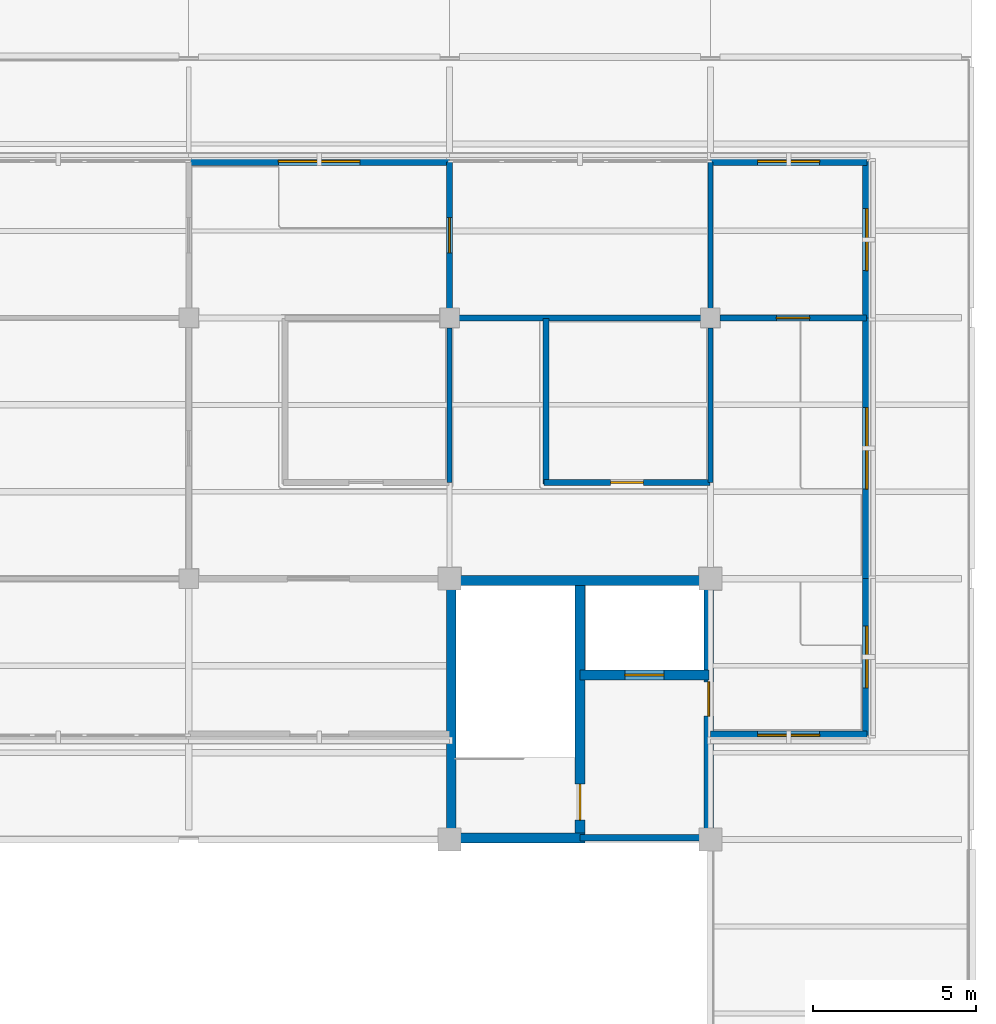
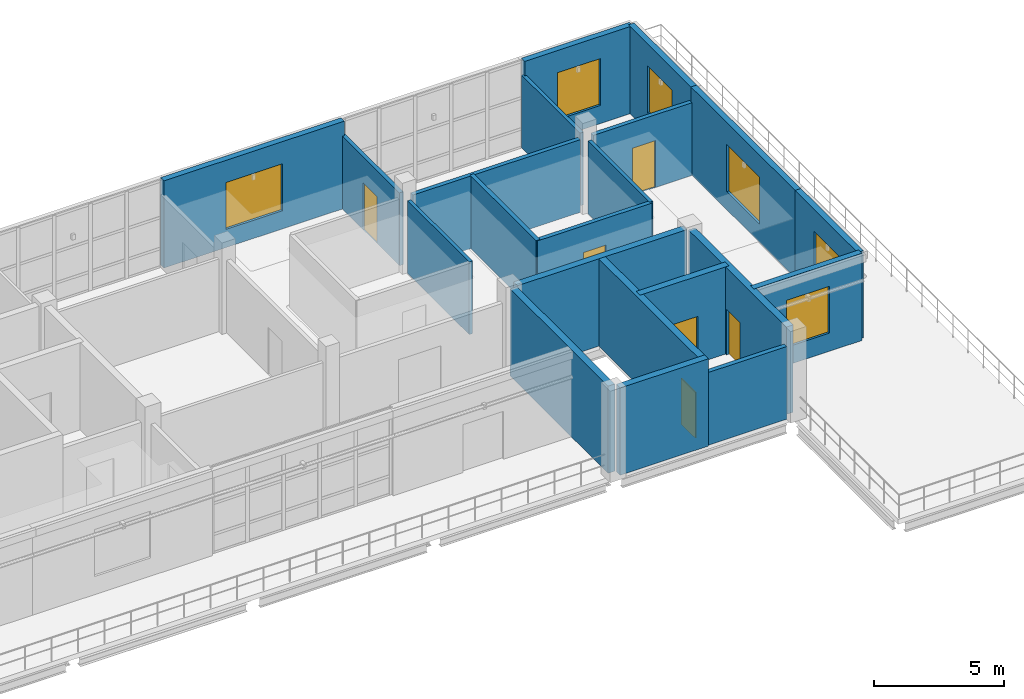
# One storey, part 18 of 24: 21 walls, 6 doors, 6 windows, 12 openings.
"""IFC4 building model written with IfcOpenShell, lengths in metres."""

import ifcopenshell
import ifcopenshell.guid

model = None  # the IFC model being written
_history = None  # IfcOwnerHistory: only IFC2X3 demands one
_inside = {}  # id of a spatial element -> (the spatial element, [elements in it])
_under = {}  # id of a project, library or spatial element -> (it, [spatial elements below it])
_declared = {}  # id of a project -> (the project, [libraries it declares])
_typed = {}  # id of a type object -> (the type object, [elements of that type])
_made_of = {}  # id of a material, layer set ... -> (it, [elements and type objects made of it])


def new_model(schema):
    """Start an empty IFC model of exactly this schema.

    Asked for "IFC4X3", IfcOpenShell would pick the latest addendum, in which some entities
    have other attributes; the version numbers below select the first issue.
    IFC2X3 requires an IfcOwnerHistory on every rooted entity: one is made here for all.
    """
    global model, _history
    if schema == "IFC4X3":
        model = ifcopenshell.file(schema_version=(4, 3, 0, 0))
    else:
        model = ifcopenshell.file(schema=schema)
    _inside.clear()
    _under.clear()
    _declared.clear()
    _typed.clear()
    _made_of.clear()
    _history = None
    if model.schema == "IFC2X3":
        org = make("IfcOrganization", Name="unknown")
        user = make(
            "IfcPersonAndOrganization",
            ThePerson=make("IfcPerson", FamilyName="unknown"),
            TheOrganization=org,
        )
        app = make(
            "IfcApplication",
            ApplicationDeveloper=org,
            Version="unknown",
            ApplicationFullName="unknown",
            ApplicationIdentifier="unknown",
        )
        _history = make(
            "IfcOwnerHistory",
            OwningUser=user,
            OwningApplication=app,
            ChangeAction="ADDED",
            CreationDate=0,
        )
    return model


def make(cls, **values):
    """One entity of the class cls with the attributes given. An attribute that is None is left unset."""
    return model.create_entity(
        cls, **{name: value for name, value in values.items() if value is not None}
    )


def rooted(cls, **values):
    """An entity with a GlobalId (a new one), such as an element, a storey or a relation."""
    return make(cls, GlobalId=ifcopenshell.guid.new(), OwnerHistory=_history, **values)


def si_unit(unit_type, name, prefix=None):
    """IfcSIUnit, for example si_unit("LENGTHUNIT", "METRE", prefix="MILLI")."""
    return make("IfcSIUnit", UnitType=unit_type, Prefix=prefix, Name=name)


def derived_unit(unit_type, elements):
    """IfcDerivedUnit: a product of units, each with its exponent."""
    return make(
        "IfcDerivedUnit",
        Elements=[
            make("IfcDerivedUnitElement", Unit=unit, Exponent=power)
            for unit, power in elements
        ],
        UnitType=unit_type,
    )


def assignment(units):
    """IfcUnitAssignment: the units of a project."""
    return None if units is None else make("IfcUnitAssignment", Units=units)


def point(xyz):
    """IfcCartesianPoint."""
    return None if xyz is None else make("IfcCartesianPoint", Coordinates=xyz)


def direction(xyz):
    """IfcDirection."""
    return None if xyz is None else make("IfcDirection", DirectionRatios=xyz)


def frame(location, z_axis=None, x_axis=None):
    """IfcAxis2Placement3D, a coordinate frame: its origin and axes. An axis left out is left unset."""
    return make(
        "IfcAxis2Placement3D",
        Location=point(location),
        Axis=direction(z_axis),
        RefDirection=direction(x_axis),
    )


def frame_2d(location, x_axis=None):
    """IfcAxis2Placement2D, a coordinate frame in the plane: its origin and x axis."""
    return make(
        "IfcAxis2Placement2D", Location=point(location), RefDirection=direction(x_axis)
    )


def origin():
    """The frame at (0, 0, 0) with its axes left unset."""
    return frame((0.0, 0.0, 0.0))


def place(relative_to, where):
    """IfcLocalPlacement: puts the frame where relative to a parent placement (None: the world)."""
    return make(
        "IfcLocalPlacement", PlacementRelTo=relative_to, RelativePlacement=where
    )


def context(
    kind, dimensions, precision=None, world=None, true_north=None, identifier=None
):
    """IfcGeometricRepresentationContext, for example the 3D "Model" context."""
    return make(
        "IfcGeometricRepresentationContext",
        ContextIdentifier=identifier,
        ContextType=kind,
        CoordinateSpaceDimension=dimensions,
        Precision=precision,
        WorldCoordinateSystem=world,
        TrueNorth=true_north,
    )


def subcontext(parent, identifier, kind, view, scale=None):
    """IfcGeometricRepresentationSubContext, for example "Body" below "Model"."""
    return make(
        "IfcGeometricRepresentationSubContext",
        ContextIdentifier=identifier,
        ContextType=kind,
        ParentContext=parent,
        TargetScale=scale,
        TargetView=view,
    )


def project(units=None, contexts=None):
    """IfcProject with its units and contexts."""
    return rooted(
        "IfcProject",
        Name="project",
        RepresentationContexts=contexts,
        UnitsInContext=assignment(units),
    )


def spatial(cls, under=None, at=None, **own):
    """A site, building, storey or space (cls), placed at a placement, below another one or the project."""
    s = rooted(cls, ObjectPlacement=at, **own)
    if under is not None:
        _under.setdefault(under.id(), (under, []))[1].append(s)
    return s


def profile(cls, at=None, kind="AREA", **sizes):
    """A parametric profile (cls). Its sizes go by their IFC names, for example OverallWidth=200.0."""
    return make(cls, ProfileType=kind, Position=at, **sizes)


def rectangle(**sizes):
    """IfcRectangleProfileDef."""
    return profile("IfcRectangleProfileDef", **sizes)


def extrude(swept, where, along, depth):
    """IfcExtrudedAreaSolid: the profile swept, set in the frame where, extruded along a direction by depth."""
    return make(
        "IfcExtrudedAreaSolid",
        SweptArea=swept,
        Position=where,
        ExtrudedDirection=direction(along),
        Depth=depth,
    )


def shape(context_of_items, identifier, shape_type, items):
    """IfcShapeRepresentation: the items that make up one representation, for example the "Body"."""
    return make(
        "IfcShapeRepresentation",
        ContextOfItems=context_of_items,
        RepresentationIdentifier=identifier,
        RepresentationType=shape_type,
        Items=items,
    )


def material(Name=None, Category=None):
    """IfcMaterial."""
    return make("IfcMaterial", Name=Name, Category=Category)


def layer(
    of_material, thickness, ventilated=None, Name=None, Category=None, Priority=None
):
    """IfcMaterialLayer: one layer of a wall or slab, of a material (None: an air gap)."""
    return make(
        "IfcMaterialLayer",
        Material=of_material,
        LayerThickness=thickness,
        IsVentilated=ventilated,
        Name=Name,
        Category=Category,
        Priority=Priority,
    )


def layer_set(layers, Name=None):
    """IfcMaterialLayerSet."""
    return make("IfcMaterialLayerSet", MaterialLayers=layers, LayerSetName=Name)


def made_of(thing, what):
    """Note that an element or type object is made of a material, layer set ...; save() writes the relation."""
    if what is not None:
        _made_of.setdefault(what.id(), (what, []))[1].append(thing)
    return thing


def type_object(cls, material=None, **own):
    """A type object (cls), such as IfcWallType, which elements share."""
    return made_of(rooted(cls, **own), material)


def element(
    cls,
    number,
    at=None,
    inside=None,
    cuts=None,
    type_object=None,
    material=None,
    context=None,
    identifier="Body",
    shape_type=None,
    held_by="IfcProductDefinitionShape",
    body=None,
    shapes=None,
    **own,
):
    """One element of the class cls, such as IfcWall. Its Tag is "e" and its number.

    at: its placement. inside: the storey or other place that contains it. cuts: it is an
    opening in that element (IfcRelVoidsElement). A single representation is given by context,
    identifier, shape_type and body (its items); several are given by shapes. held_by: the class
    of the entity that holds the representations. save() writes the other relations.
    """
    e = rooted(cls, Tag="e%d" % number, ObjectPlacement=at, **own)
    if body is not None:
        shapes = [shape(context, identifier, shape_type, body)]
    if shapes is not None:
        e.Representation = make(held_by, Representations=shapes)
    if inside is not None:
        _inside.setdefault(inside.id(), (inside, []))[1].append(e)
    if cuts is not None:
        rooted(
            "IfcRelVoidsElement", RelatingBuildingElement=cuts, RelatedOpeningElement=e
        )
    if type_object is not None:
        _typed.setdefault(type_object.id(), (type_object, []))[1].append(e)
    return made_of(e, material)


def fill(opening, filler):
    """IfcRelFillsElement: the door or window that sits in an opening."""
    return rooted(
        "IfcRelFillsElement",
        RelatingOpeningElement=opening,
        RelatedBuildingElement=filler,
    )


def aggregate(whole, parts):
    """IfcRelAggregates: a whole, such as a stair, and the parts it consists of."""
    return rooted("IfcRelAggregates", RelatingObject=whole, RelatedObjects=parts)


def save(model, path):
    """Write the relations noted so far, then the file.

    IfcRelAggregates (storeys below a building ...), IfcRelContainedInSpatialStructure (elements
    in a storey), IfcRelDefinesByType, IfcRelAssociatesMaterial and IfcRelDeclares: one each for
    every whole, place, type object, material and project.
    """
    for whole, parts in _under.values():
        aggregate(whole, parts)
    for where, things in _inside.values():
        rooted(
            "IfcRelContainedInSpatialStructure",
            RelatedElements=things,
            RelatingStructure=where,
        )
    for kind, things in _typed.values():
        rooted("IfcRelDefinesByType", RelatedObjects=things, RelatingType=kind)
    for what, things in _made_of.values():
        rooted("IfcRelAssociatesMaterial", RelatedObjects=things, RelatingMaterial=what)
    for by, libraries in _declared.values():
        rooted("IfcRelDeclares", RelatingContext=by, RelatedDefinitions=libraries)
    model.write(path)


model = new_model("IFC4")

# Units and contexts
model_context = context("Model", 3, precision=1e-05, world=origin(), true_north=direction((0.0, 1.0)))
body_context = subcontext(model_context, "Body", "Model", "MODEL_VIEW")
ifc_project = project(units=[si_unit("LENGTHUNIT", "METRE"), si_unit("AREAUNIT", "SQUARE_METRE"), si_unit("VOLUMEUNIT", "CUBIC_METRE"), si_unit("PLANEANGLEUNIT", "RADIAN"), si_unit("MASSUNIT", "GRAM", prefix="KILO"), derived_unit("THERMALTRANSMITTANCEUNIT", [(si_unit("MASSUNIT", "GRAM", prefix="KILO"), 1), (si_unit("TIMEUNIT", "SECOND"), -3), (si_unit("THERMODYNAMICTEMPERATUREUNIT", "KELVIN"), -1)])], contexts=[model_context])

# Site, building, storey
site_placement = place(None, origin())
site = spatial("IfcSite", under=ifc_project, at=site_placement, CompositionType="ELEMENT")
building_placement = place(site_placement, origin())
building = spatial("IfcBuilding", under=site, at=building_placement, Name="Veyamyaing Civic Hall", CompositionType="ELEMENT")
storey_placement = place(building_placement, frame((0.0, 0.0, 25.739990234375)))
storey = spatial("IfcBuildingStorey", under=building, at=storey_placement, Name="L06", CompositionType="ELEMENT", Elevation=25.739990234375)

# Walls
ifc_material_1 = material(Name="Concrete C40/50", Category="concrete")
ifc_layer_1 = layer(ifc_material_1, 0.300048828125, Name="Concrete C40/50")
ifc_layer_set_1 = layer_set([ifc_layer_1], Name="Concrete C40/50")
wall_type_1 = type_object("IfcWallType", Name="WT-05", PredefinedType="SHEAR", material=ifc_layer_set_1)
for number, where, z_axis, x_axis, name in (
    (1, (160.050048828125, 88.239990234375, 0.0), (0.0, 0.0, 1.0), (0.0, 1.0, 0.0), "Core shear wall WT-05 CORE-3 L06.W"),
    (2, (160.239990234375, 95.949951171875, 0.0), (0.0, 0.0, 1.0), (1.0, 0.0, 0.0), "Core shear wall WT-05 CORE-3 L06.N"),
):
    element("IfcWall", number, at=place(storey_placement, frame(where, z_axis=z_axis, x_axis=x_axis)), inside=storey, type_object=wall_type_1, Name=name, PredefinedType="SHEAR", context=body_context, shape_type="SweptSolid", body=[
        extrude(rectangle(XDim=7.52001953125, YDim=0.300048828125, at=frame_2d((3.760009765625, 0.0))), origin(), (0.0, 0.0, 1.0), 4.090087890625),
    ])

# Wall, opening, door
wall_1_placement = place(storey_placement, frame((167.949951171875, 88.239990234375, 0.0), z_axis=(0.0, 0.0, 1.0), x_axis=(0.0, 1.0, 0.0)))
wall_1 = element("IfcWall", 3, at=wall_1_placement, inside=storey, type_object=wall_type_1, Name="Core shear wall WT-05 CORE-3 L06.E", PredefinedType="SHEAR", context=body_context, shape_type="SweptSolid", body=[
    extrude(rectangle(XDim=7.52001953125, YDim=0.300048828125, at=frame_2d((3.760009765625, 0.0))), origin(), (0.0, 0.0, 1.0), 4.090087890625),
])
opening_1_placement = place(wall_1_placement, frame((3.550048828125, 0.0, 0.0)))
opening_1 = element("IfcOpeningElement", 4, at=opening_1_placement, cuts=wall_1, Name="Opening D-12", PredefinedType="OPENING", context=body_context, shape_type="SweptSolid", body=[
    extrude(rectangle(XDim=1.050048828125, YDim=2.14990234375, at=frame_2d((0.52490234375, 1.074951171875))), frame((0.0, 0.159912109375, 0.0), z_axis=(0.0, -1.0, 0.0), x_axis=(1.0, 0.0, 0.0)), (0.0, 0.0, 1.0), 0.320068359375),
])
ifc_material_2 = material(Name="Teak-veneered acoustic timber", Category="wood")
door_type_1 = type_object("IfcDoorType", Name="D-12", OperationType="NOTDEFINED", PredefinedType="DOOR", material=ifc_material_2)
door_1_placement = place(opening_1_placement, frame((1.050048828125, 0.0, 0.0), z_axis=(0.0, 0.0, 1.0), x_axis=(-1.0, 0.0, 0.0)))
door_1 = element("IfcDoor", 5, at=door_1_placement, inside=storey, type_object=door_type_1, Name="Protected lobby fire door D-12 CORE-3 L06", OperationType="SINGLE_SWING_LEFT", OverallHeight=2.14990234375, OverallWidth=1.050048828125, PredefinedType="DOOR", context=body_context, shape_type="SweptSolid", body=[
    extrude(rectangle(XDim=1.050048828125, YDim=2.14990234375, at=frame_2d((0.52490234375, 1.074951171875))), frame((0.0, 0.02490234375, 0.0), z_axis=(0.0, -1.0, 0.0), x_axis=(1.0, 0.0, 0.0)), (0.0, 0.0, 1.0), 0.050048828125),
])
fill(opening_1, door_1)

# Wall
wall_2_placement = place(storey_placement, frame((160.239990234375, 88.050048828125, 0.0), z_axis=(0.0, 0.0, 1.0), x_axis=(1.0, 0.0, 0.0)))
element("IfcWall", 6, at=wall_2_placement, inside=storey, type_object=wall_type_1, Name="Core shear wall WT-05 CORE-3 L06.SS", PredefinedType="SHEAR", context=body_context, shape_type="SweptSolid", body=[
    extrude(rectangle(XDim=3.909912109375, YDim=0.300048828125, at=frame_2d((1.955078125, 0.0))), origin(), (0.0, 0.0, 1.0), 4.090087890625),
])

# Wall, opening, door
wall_3_placement = place(storey_placement, frame((164.0, 88.050048828125, 0.0), z_axis=(0.0, 0.0, 1.0), x_axis=(0.0, 1.0, 0.0)))
wall_3 = element("IfcWall", 7, at=wall_3_placement, inside=storey, type_object=wall_type_1, Name="Core shear wall WT-05 CORE-3 L06.MID", PredefinedType="SHEAR", context=body_context, shape_type="SweptSolid", body=[
    extrude(rectangle(XDim=7.89990234375, YDim=0.300048828125, at=frame_2d((3.949951171875, 0.0))), origin(), (0.0, 0.0, 1.0), 4.090087890625),
])
opening_2_placement = place(wall_3_placement, frame((0.550048828125, 0.0, 0.0)))
opening_2 = element("IfcOpeningElement", 8, at=opening_2_placement, cuts=wall_3, Name="Opening D-03", PredefinedType="OPENING", context=body_context, shape_type="SweptSolid", body=[
    extrude(rectangle(XDim=1.10009765625, YDim=2.14990234375, at=frame_2d((0.550048828125, 1.074951171875))), frame((0.0, 0.159912109375, 0.0), z_axis=(0.0, -1.0, 0.0), x_axis=(1.0, 0.0, 0.0)), (0.0, 0.0, 1.0), 0.320068359375),
])
ifc_material_3 = material(Name="Galvanized steel S355J2", Category="steel")
door_type_2 = type_object("IfcDoorType", Name="D-03", OperationType="NOTDEFINED", PredefinedType="DOOR", material=ifc_material_3)
door_2_placement = place(opening_2_placement, origin())
door_2 = element("IfcDoor", 9, at=door_2_placement, inside=storey, type_object=door_type_2, Name="Exit stair fire door D-03 ST-03 L06", OperationType="SINGLE_SWING_RIGHT", OverallHeight=2.14990234375, OverallWidth=1.10009765625, PredefinedType="DOOR", context=body_context, shape_type="SweptSolid", body=[
    extrude(rectangle(XDim=1.10009765625, YDim=2.14990234375, at=frame_2d((0.550048828125, 1.074951171875))), frame((0.0, 0.02490234375, 0.0), z_axis=(0.0, -1.0, 0.0), x_axis=(1.0, 0.0, 0.0)), (0.0, 0.0, 1.0), 0.050048828125),
])
fill(opening_2, door_2)

wall_4_placement = place(storey_placement, frame((164.0, 93.050048828125, 0.0), z_axis=(0.0, 0.0, 1.0), x_axis=(1.0, 0.0, 0.0)))
wall_4 = element("IfcWall", 10, at=wall_4_placement, inside=storey, type_object=wall_type_1, Name="Core shear wall WT-05 CORE-3 L06.LFT", PredefinedType="SHEAR", context=body_context, shape_type="SweptSolid", body=[
    extrude(rectangle(XDim=3.949951171875, YDim=0.300048828125, at=frame_2d((1.97509765625, 0.0))), origin(), (0.0, 0.0, 1.0), 4.090087890625),
])
opening_3_placement = place(wall_4_placement, frame((1.375, 0.0, 0.0)))
opening_3 = element("IfcOpeningElement", 11, at=opening_3_placement, cuts=wall_4, Name="Opening LD-02", PredefinedType="OPENING", context=body_context, shape_type="SweptSolid", body=[
    extrude(rectangle(XDim=1.199951171875, YDim=2.199951171875, at=frame_2d((0.60009765625, 1.10009765625))), frame((0.0, 0.159912109375, 0.0), z_axis=(0.0, -1.0, 0.0), x_axis=(1.0, 0.0, 0.0)), (0.0, 0.0, 1.0), 0.320068359375),
])
door_type_3 = type_object("IfcDoorType", Name="LD-02", OperationType="SLIDING_TO_LEFT", PredefinedType="DOOR", material=ifc_material_3)
door_3_placement = place(opening_3_placement, origin())
door_3 = element("IfcDoor", 12, at=door_3_placement, inside=storey, type_object=door_type_3, Name="Lift sliding landing door LD-02 FL-02 L06", OperationType="SLIDING_TO_LEFT", OverallHeight=2.199951171875, OverallWidth=1.199951171875, PredefinedType="DOOR", context=body_context, shape_type="SweptSolid", body=[
    extrude(rectangle(XDim=1.199951171875, YDim=2.199951171875, at=frame_2d((0.60009765625, 1.10009765625))), frame((0.0, 0.02490234375, 0.0), z_axis=(0.0, -1.0, 0.0), x_axis=(1.0, 0.0, 0.0)), (0.0, 0.0, 1.0), 0.050048828125),
])
fill(opening_3, door_3)

# Wall
ifc_layer_2 = layer(ifc_material_1, 0.199951171875, Name="Concrete C40/50")
ifc_layer_set_2 = layer_set([ifc_layer_2], Name="Concrete C40/50")
wall_type_2 = type_object("IfcWallType", Name="WT-06", PredefinedType="PARTITIONING", material=ifc_layer_set_2)
wall_5_placement = place(storey_placement, frame((164.0, 88.050048828125, 0.0), z_axis=(0.0, 0.0, 1.0), x_axis=(1.0, 0.0, 0.0)))
element("IfcWall", 13, at=wall_5_placement, inside=storey, type_object=wall_type_2, Name="Firefighting lift lobby wall WT-06 CORE-3 L06", PredefinedType="PARTITIONING", context=body_context, shape_type="SweptSolid", body=[
    extrude(rectangle(XDim=3.659912109375, YDim=0.199951171875, at=frame_2d((1.830078125, 0.0))), origin(), (0.0, 0.0, 1.0), 3.407958984375),
])

# Wall, opening, door
ifc_material_4 = material(Name="Gypsum board on acoustic steel stud", Category="steel")
ifc_layer_3 = layer(ifc_material_4, 0.175048828125, Name="Gypsum board on acoustic steel stud")
ifc_layer_set_3 = layer_set([ifc_layer_3], Name="Gypsum board on acoustic steel stud")
wall_type_3 = type_object("IfcWallType", Name="WT-07", PredefinedType="PARTITIONING", material=ifc_layer_set_3)
wall_6_placement = place(storey_placement, frame((160.0, 104.2900390625, 0.0), z_axis=(0.0, 0.0, 1.0), x_axis=(0.0, 1.0, 0.0)))
wall_6 = element("IfcWall", 14, at=wall_6_placement, inside=storey, type_object=wall_type_3, Name="Interior partition wall WT-07 L06.21", PredefinedType="PARTITIONING", context=body_context, shape_type="SweptSolid", body=[
    extrude(rectangle(XDim=4.489990234375, YDim=0.175048828125, at=frame_2d((2.2451171875, 0.0))), origin(), (0.0, 0.0, 1.0), 3.407958984375),
])
opening_4_placement = place(wall_6_placement, frame((1.705078125, 0.0, 0.0)))
opening_4 = element("IfcOpeningElement", 15, at=opening_4_placement, cuts=wall_6, Name="Opening D-23", PredefinedType="OPENING", context=body_context, shape_type="SweptSolid", body=[
    extrude(rectangle(XDim=1.080078125, YDim=2.199951171875, at=frame_2d((0.5400390625, 1.10009765625))), frame((0.0, 0.097412109375, 0.0), z_axis=(0.0, -1.0, 0.0), x_axis=(1.0, 0.0, 0.0)), (0.0, 0.0, 1.0), 0.195068359375),
])
door_type_4 = type_object("IfcDoorType", Name="D-23", OperationType="NOTDEFINED", PredefinedType="DOOR", material=ifc_material_2)
door_4_placement = place(opening_4_placement, frame((1.080078125, 0.0, 0.0), z_axis=(0.0, 0.0, 1.0), x_axis=(-1.0, 0.0, 0.0)))
door_4 = element("IfcDoor", 16, at=door_4_placement, inside=storey, type_object=door_type_4, Name="Interior door D-23 L06.21", OperationType="SINGLE_SWING_LEFT", OverallHeight=2.199951171875, OverallWidth=1.080078125, PredefinedType="DOOR", context=body_context, shape_type="SweptSolid", body=[
    extrude(rectangle(XDim=1.080078125, YDim=2.199951171875, at=frame_2d((0.5400390625, 1.10009765625))), frame((0.0, 0.02490234375, 0.0), z_axis=(0.0, -1.0, 0.0), x_axis=(1.0, 0.0, 0.0)), (0.0, 0.0, 1.0), 0.050048828125),
])
fill(opening_4, door_4)

# Walls
ifc_material_5 = material(Name="Gypsum board on steel stud", Category="steel")
ifc_layer_4 = layer(ifc_material_5, 0.14990234375, Name="Gypsum board on steel stud")
ifc_layer_set_4 = layer_set([ifc_layer_4], Name="Gypsum board on steel stud")
wall_type_4 = type_object("IfcWallType", Name="WT-08", PredefinedType="PARTITIONING", material=ifc_layer_set_4)
for number, where, z_axis, x_axis, name in (
    (17, (160.0, 98.949951171875, 0.0), (0.0, 0.0, 1.0), (0.0, 1.0, 0.0), "Gallery office end partition WT-08 L06.3.2"),
    (18, (168.0, 98.949951171875, 0.0), (0.0, 0.0, 1.0), (0.0, 1.0, 0.0), "Gallery office end partition WT-08 L06.4.2"),
):
    element("IfcWall", number, at=place(storey_placement, frame(where, z_axis=z_axis, x_axis=x_axis)), inside=storey, type_object=wall_type_4, Name=name, PredefinedType="PARTITIONING", context=body_context, shape_type="SweptSolid", body=[
        extrude(rectangle(XDim=4.739990234375, YDim=0.14990234375, at=frame_2d((2.3701171875, 0.0))), origin(), (0.0, 0.0, 1.0), 3.407958984375),
    ])

# Wall, opening, window
ifc_material_6 = material(Name="Precast concrete C40/50", Category="concrete")
ifc_layer_5 = layer(ifc_material_6, 0.260009765625, Name="Precast concrete C40/50")
ifc_layer_set_5 = layer_set([ifc_layer_5], Name="Precast concrete C40/50")
wall_type_5 = type_object("IfcWallType", Name="WT-09", PredefinedType="SOLIDWALL", material=ifc_layer_set_5)
wall_7_placement = place(storey_placement, frame((168.0, 91.199951171875, 0.0), z_axis=(0.0, 0.0, 1.0), x_axis=(1.0, 0.0, 0.0)))
wall_7 = element("IfcWall", 19, at=wall_7_placement, inside=storey, type_object=wall_type_5, Name="Executive setback exterior wall WT-09 L06-NE-S-5", PredefinedType="SOLIDWALL", context=body_context, shape_type="SweptSolid", body=[
    extrude(rectangle(XDim=4.800048828125, YDim=0.260009765625, at=frame_2d((2.39990234375, 0.0))), origin(), (0.0, 0.0, 1.0), 4.090087890625),
])
opening_5_placement = place(wall_7_placement, frame((1.449951171875, 0.0, 0.85009765625)))
opening_5 = element("IfcOpeningElement", 20, at=opening_5_placement, cuts=wall_7, Name="Opening W-22", PredefinedType="OPENING", context=body_context, shape_type="SweptSolid", body=[
    extrude(rectangle(XDim=1.89990234375, YDim=2.199951171875, at=frame_2d((0.949951171875, 1.10009765625))), frame((0.0, 0.139892578125, 0.0), z_axis=(0.0, -1.0, 0.0), x_axis=(1.0, 0.0, 0.0)), (0.0, 0.0, 1.0), 0.280029296875),
])
ifc_material_7 = material(Name="Low-E insulated glass", Category="glass")
window_type_1 = type_object("IfcWindowType", Name="W-22", PartitioningType="SINGLE_PANEL", PredefinedType="WINDOW", material=ifc_material_7)
window_1_placement = place(opening_5_placement, origin())
window_1 = element("IfcWindow", 21, at=window_1_placement, inside=storey, type_object=window_type_1, Name="Executive window W-22 L06-NE-S-5", OverallHeight=2.199951171875, OverallWidth=1.89990234375, PartitioningType="SINGLE_PANEL", PredefinedType="WINDOW", context=body_context, shape_type="SweptSolid", body=[
    extrude(rectangle(XDim=1.89990234375, YDim=2.199951171875, at=frame_2d((0.949951171875, 1.10009765625))), frame((0.0, 0.030029296875, 0.0), z_axis=(0.0, -1.0, 0.0), x_axis=(1.0, 0.0, 0.0)), (0.0, 0.0, 1.0), 0.06005859375),
])
fill(opening_5, window_1)

wall_8_placement = place(storey_placement, frame((152.0, 108.800048828125, 0.0), z_axis=(0.0, 0.0, 1.0), x_axis=(1.0, 0.0, 0.0)))
wall_8 = element("IfcWall", 22, at=wall_8_placement, inside=storey, type_object=wall_type_5, Name="Executive setback exterior wall WT-09 L06-NE-N-3", PredefinedType="SOLIDWALL", context=body_context, shape_type="SweptSolid", body=[
    extrude(rectangle(XDim=8.0, YDim=0.260009765625, at=frame_2d((4.0, 0.0))), origin(), (0.0, 0.0, 1.0), 4.090087890625),
])
opening_6_placement = place(wall_8_placement, frame((2.75, 0.0, 0.85009765625)))
opening_6 = element("IfcOpeningElement", 23, at=opening_6_placement, cuts=wall_8, Name="Opening W-21", PredefinedType="OPENING", context=body_context, shape_type="SweptSolid", body=[
    extrude(rectangle(XDim=2.5, YDim=2.199951171875, at=frame_2d((1.25, 1.10009765625))), frame((0.0, 0.139892578125, 0.0), z_axis=(0.0, -1.0, 0.0), x_axis=(1.0, 0.0, 0.0)), (0.0, 0.0, 1.0), 0.280029296875),
])
window_type_2 = type_object("IfcWindowType", Name="W-21", PartitioningType="SINGLE_PANEL", PredefinedType="WINDOW", material=ifc_material_7)
window_2_placement = place(opening_6_placement, origin())
window_2 = element("IfcWindow", 24, at=window_2_placement, inside=storey, type_object=window_type_2, Name="Executive window W-21 L06-NE-N-3", OverallHeight=2.199951171875, OverallWidth=2.5, PartitioningType="SINGLE_PANEL", PredefinedType="WINDOW", context=body_context, shape_type="SweptSolid", body=[
    extrude(rectangle(XDim=2.5, YDim=2.199951171875, at=frame_2d((1.25, 1.10009765625))), frame((0.0, 0.030029296875, 0.0), z_axis=(0.0, -1.0, 0.0), x_axis=(1.0, 0.0, 0.0)), (0.0, 0.0, 1.0), 0.06005859375),
])
fill(opening_6, window_2)

wall_9_placement = place(storey_placement, frame((168.0, 108.800048828125, 0.0), z_axis=(0.0, 0.0, 1.0), x_axis=(1.0, 0.0, 0.0)))
wall_9 = element("IfcWall", 25, at=wall_9_placement, inside=storey, type_object=wall_type_5, Name="Executive setback exterior wall WT-09 L06-NE-N-5", PredefinedType="SOLIDWALL", context=body_context, shape_type="SweptSolid", body=[
    extrude(rectangle(XDim=4.800048828125, YDim=0.260009765625, at=frame_2d((2.39990234375, 0.0))), origin(), (0.0, 0.0, 1.0), 4.090087890625),
])
opening_7_placement = place(wall_9_placement, frame((1.449951171875, 0.0, 0.85009765625)))
opening_7 = element("IfcOpeningElement", 26, at=opening_7_placement, cuts=wall_9, Name="Opening W-22", PredefinedType="OPENING", context=body_context, shape_type="SweptSolid", body=[
    extrude(rectangle(XDim=1.89990234375, YDim=2.199951171875, at=frame_2d((0.949951171875, 1.10009765625))), frame((0.0, 0.139892578125, 0.0), z_axis=(0.0, -1.0, 0.0), x_axis=(1.0, 0.0, 0.0)), (0.0, 0.0, 1.0), 0.280029296875),
])
window_3_placement = place(opening_7_placement, origin())
window_3 = element("IfcWindow", 27, at=window_3_placement, inside=storey, type_object=window_type_1, Name="Executive window W-22 L06-NE-N-5", OverallHeight=2.199951171875, OverallWidth=1.89990234375, PartitioningType="SINGLE_PANEL", PredefinedType="WINDOW", context=body_context, shape_type="SweptSolid", body=[
    extrude(rectangle(XDim=1.89990234375, YDim=2.199951171875, at=frame_2d((0.949951171875, 1.10009765625))), frame((0.0, 0.030029296875, 0.0), z_axis=(0.0, -1.0, 0.0), x_axis=(1.0, 0.0, 0.0)), (0.0, 0.0, 1.0), 0.06005859375),
])
fill(opening_7, window_3)

wall_10_placement = place(storey_placement, frame((172.800048828125, 91.199951171875, 0.0), z_axis=(0.0, 0.0, 1.0), x_axis=(0.0, 1.0, 0.0)))
wall_10 = element("IfcWall", 28, at=wall_10_placement, inside=storey, type_object=wall_type_5, Name="Executive setback exterior wall WT-09 L06-NE-E-0", PredefinedType="SOLIDWALL", context=body_context, shape_type="SweptSolid", body=[
    extrude(rectangle(XDim=4.800048828125, YDim=0.260009765625, at=frame_2d((2.39990234375, 0.0))), origin(), (0.0, 0.0, 1.0), 4.090087890625),
])
opening_8_placement = place(wall_10_placement, frame((1.449951171875, 0.0, 0.85009765625)))
opening_8 = element("IfcOpeningElement", 29, at=opening_8_placement, cuts=wall_10, Name="Opening W-22", PredefinedType="OPENING", context=body_context, shape_type="SweptSolid", body=[
    extrude(rectangle(XDim=1.89990234375, YDim=2.199951171875, at=frame_2d((0.949951171875, 1.10009765625))), frame((0.0, 0.139892578125, 0.0), z_axis=(0.0, -1.0, 0.0), x_axis=(1.0, 0.0, 0.0)), (0.0, 0.0, 1.0), 0.280029296875),
])
window_4_placement = place(opening_8_placement, origin())
window_4 = element("IfcWindow", 30, at=window_4_placement, inside=storey, type_object=window_type_1, Name="Executive window W-22 L06-NE-E-0", OverallHeight=2.199951171875, OverallWidth=1.89990234375, PartitioningType="SINGLE_PANEL", PredefinedType="WINDOW", context=body_context, shape_type="SweptSolid", body=[
    extrude(rectangle(XDim=1.89990234375, YDim=2.199951171875, at=frame_2d((0.949951171875, 1.10009765625))), frame((0.0, 0.030029296875, 0.0), z_axis=(0.0, -1.0, 0.0), x_axis=(1.0, 0.0, 0.0)), (0.0, 0.0, 1.0), 0.06005859375),
])
fill(opening_8, window_4)

wall_11_placement = place(storey_placement, frame((172.800048828125, 96.0, 0.0), z_axis=(0.0, 0.0, 1.0), x_axis=(0.0, 1.0, 0.0)))
wall_11 = element("IfcWall", 31, at=wall_11_placement, inside=storey, type_object=wall_type_5, Name="Executive setback exterior wall WT-09 L06-NE-E-1", PredefinedType="SOLIDWALL", context=body_context, shape_type="SweptSolid", body=[
    extrude(rectangle(XDim=8.0, YDim=0.260009765625, at=frame_2d((4.0, 0.0))), origin(), (0.0, 0.0, 1.0), 4.090087890625),
])
opening_9_placement = place(wall_11_placement, frame((2.75, 0.0, 0.85009765625)))
opening_9 = element("IfcOpeningElement", 32, at=opening_9_placement, cuts=wall_11, Name="Opening W-21", PredefinedType="OPENING", context=body_context, shape_type="SweptSolid", body=[
    extrude(rectangle(XDim=2.5, YDim=2.199951171875, at=frame_2d((1.25, 1.10009765625))), frame((0.0, 0.139892578125, 0.0), z_axis=(0.0, -1.0, 0.0), x_axis=(1.0, 0.0, 0.0)), (0.0, 0.0, 1.0), 0.280029296875),
])
window_5_placement = place(opening_9_placement, origin())
window_5 = element("IfcWindow", 33, at=window_5_placement, inside=storey, type_object=window_type_2, Name="Executive window W-21 L06-NE-E-1", OverallHeight=2.199951171875, OverallWidth=2.5, PartitioningType="SINGLE_PANEL", PredefinedType="WINDOW", context=body_context, shape_type="SweptSolid", body=[
    extrude(rectangle(XDim=2.5, YDim=2.199951171875, at=frame_2d((1.25, 1.10009765625))), frame((0.0, 0.030029296875, 0.0), z_axis=(0.0, -1.0, 0.0), x_axis=(1.0, 0.0, 0.0)), (0.0, 0.0, 1.0), 0.06005859375),
])
fill(opening_9, window_5)

wall_12_placement = place(storey_placement, frame((172.800048828125, 104.0, 0.0), z_axis=(0.0, 0.0, 1.0), x_axis=(0.0, 1.0, 0.0)))
wall_12 = element("IfcWall", 34, at=wall_12_placement, inside=storey, type_object=wall_type_5, Name="Executive setback exterior wall WT-09 L06-NE-E-2", PredefinedType="SOLIDWALL", context=body_context, shape_type="SweptSolid", body=[
    extrude(rectangle(XDim=4.800048828125, YDim=0.260009765625, at=frame_2d((2.39990234375, 0.0))), origin(), (0.0, 0.0, 1.0), 4.090087890625),
])
opening_10_placement = place(wall_12_placement, frame((1.449951171875, 0.0, 0.85009765625)))
opening_10 = element("IfcOpeningElement", 35, at=opening_10_placement, cuts=wall_12, Name="Opening W-22", PredefinedType="OPENING", context=body_context, shape_type="SweptSolid", body=[
    extrude(rectangle(XDim=1.89990234375, YDim=2.199951171875, at=frame_2d((0.949951171875, 1.10009765625))), frame((0.0, 0.139892578125, 0.0), z_axis=(0.0, -1.0, 0.0), x_axis=(1.0, 0.0, 0.0)), (0.0, 0.0, 1.0), 0.280029296875),
])
window_6_placement = place(opening_10_placement, origin())
window_6 = element("IfcWindow", 36, at=window_6_placement, inside=storey, type_object=window_type_1, Name="Executive window W-22 L06-NE-E-2", OverallHeight=2.199951171875, OverallWidth=1.89990234375, PartitioningType="SINGLE_PANEL", PredefinedType="WINDOW", context=body_context, shape_type="SweptSolid", body=[
    extrude(rectangle(XDim=1.89990234375, YDim=2.199951171875, at=frame_2d((0.949951171875, 1.10009765625))), frame((0.0, 0.030029296875, 0.0), z_axis=(0.0, -1.0, 0.0), x_axis=(1.0, 0.0, 0.0)), (0.0, 0.0, 1.0), 0.06005859375),
])
fill(opening_10, window_6)

# Wall
ifc_material_8 = material(Name="Cement-board wet-area partition")
ifc_layer_6 = layer(ifc_material_8, 0.159912109375, Name="Cement-board wet-area partition")
ifc_layer_set_6 = layer_set([ifc_layer_6], Name="Cement-board wet-area partition")
wall_type_6 = type_object("IfcWallType", Name="WT-14", PredefinedType="PARTITIONING", material=ifc_layer_set_6)
wall_13_placement = place(storey_placement, frame((168.0, 104.2900390625, 0.0), z_axis=(0.0, 0.0, 1.0), x_axis=(0.0, 1.0, 0.0)))
element("IfcWall", 37, at=wall_13_placement, inside=storey, type_object=wall_type_6, Name="Interior partition wall WT-14 L06.23", PredefinedType="PARTITIONING", context=body_context, shape_type="SweptSolid", body=[
    extrude(rectangle(XDim=4.489990234375, YDim=0.159912109375, at=frame_2d((2.2451171875, 0.0))), origin(), (0.0, 0.0, 1.0), 3.407958984375),
])

# Wall, opening, door
ifc_material_9 = material(Name="Gypsum board on double acoustic stud")
ifc_layer_7 = layer(ifc_material_9, 0.18505859375, Name="Gypsum board on double acoustic stud")
ifc_layer_set_7 = layer_set([ifc_layer_7], Name="Gypsum board on double acoustic stud")
wall_type_7 = type_object("IfcWallType", Name="WT-19", PredefinedType="PARTITIONING", material=ifc_layer_set_7)
wall_14_placement = place(storey_placement, frame((162.89990234375, 98.949951171875, 0.0), z_axis=(0.0, 0.0, 1.0), x_axis=(1.0, 0.0, 0.0)))
wall_14 = element("IfcWall", 38, at=wall_14_placement, inside=storey, type_object=wall_type_7, Name="Corridor gallery partition WT-19 L06.4.1", PredefinedType="PARTITIONING", context=body_context, shape_type="SweptSolid", body=[
    extrude(rectangle(XDim=5.080078125, YDim=0.18505859375, at=frame_2d((2.5400390625, 0.0))), origin(), (0.0, 0.0, 1.0), 3.407958984375),
])
opening_11_placement = place(wall_14_placement, frame((2.0400390625, 0.0, 0.0)))
opening_11 = element("IfcOpeningElement", 39, at=opening_11_placement, cuts=wall_14, Name="Opening D-13", PredefinedType="OPENING", context=body_context, shape_type="SweptSolid", body=[
    extrude(rectangle(XDim=1.0, YDim=2.14990234375, at=frame_2d((0.5, 1.074951171875))), frame((0.0, 0.1025390625, 0.0), z_axis=(0.0, -1.0, 0.0), x_axis=(1.0, 0.0, 0.0)), (0.0, 0.0, 1.0), 0.205078125),
])
door_type_5 = type_object("IfcDoorType", Name="D-13", OperationType="NOTDEFINED", PredefinedType="DOOR", material=ifc_material_2)
door_5_placement = place(opening_11_placement, origin())
door_5 = element("IfcDoor", 40, at=door_5_placement, inside=storey, type_object=door_type_5, Name="Gallery office door D-13 L06.4", OperationType="SINGLE_SWING_LEFT", OverallHeight=2.14990234375, OverallWidth=1.0, PredefinedType="DOOR", context=body_context, shape_type="SweptSolid", body=[
    extrude(rectangle(XDim=1.0, YDim=2.14990234375, at=frame_2d((0.5, 1.074951171875))), frame((0.0, 0.02490234375, 0.0), z_axis=(0.0, -1.0, 0.0), x_axis=(1.0, 0.0, 0.0)), (0.0, 0.0, 1.0), 0.050048828125),
])
fill(opening_11, door_5)

# Walls
wall_15_placement = place(storey_placement, frame((162.949951171875, 98.89990234375, 0.0), z_axis=(0.0, 0.0, 1.0), x_axis=(0.0, 1.0, 0.0)))
element("IfcWall", 41, at=wall_15_placement, inside=storey, type_object=wall_type_7, Name="Corridor gallery partition WT-19 L06.4.2", PredefinedType="PARTITIONING", context=body_context, shape_type="SweptSolid", body=[
    extrude(rectangle(XDim=5.080078125, YDim=0.18505859375, at=frame_2d((2.5400390625, 0.0))), origin(), (0.0, 0.0, 1.0), 3.407958984375),
])
wall_16_placement = place(storey_placement, frame((160.2900390625, 104.0, 0.0), z_axis=(0.0, 0.0, 1.0), x_axis=(1.0, 0.0, 0.0)))
element("IfcWall", 42, at=wall_16_placement, inside=storey, type_object=wall_type_7, Name="Interior partition wall WT-19 L06.22", PredefinedType="PARTITIONING", context=body_context, shape_type="SweptSolid", body=[
    extrude(rectangle(XDim=7.419921875, YDim=0.18505859375, at=frame_2d((3.7099609375, 0.0))), origin(), (0.0, 0.0, 1.0), 3.407958984375),
])

# Wall, opening, door
wall_17_placement = place(storey_placement, frame((168.2900390625, 104.0, 0.0), z_axis=(0.0, 0.0, 1.0), x_axis=(1.0, 0.0, 0.0)))
wall_17 = element("IfcWall", 43, at=wall_17_placement, inside=storey, type_object=wall_type_7, Name="Interior partition wall WT-19 L06.24", PredefinedType="PARTITIONING", context=body_context, shape_type="SweptSolid", body=[
    extrude(rectangle(XDim=4.489990234375, YDim=0.18505859375, at=frame_2d((2.2451171875, 0.0))), origin(), (0.0, 0.0, 1.0), 3.407958984375),
])
opening_12_placement = place(wall_17_placement, frame((1.735107421875, 0.0, 0.0)))
opening_12 = element("IfcOpeningElement", 44, at=opening_12_placement, cuts=wall_17, Name="Opening D-19", PredefinedType="OPENING", context=body_context, shape_type="SweptSolid", body=[
    extrude(rectangle(XDim=1.02001953125, YDim=2.199951171875, at=frame_2d((0.510009765625, 1.10009765625))), frame((0.0, 0.1025390625, 0.0), z_axis=(0.0, -1.0, 0.0), x_axis=(1.0, 0.0, 0.0)), (0.0, 0.0, 1.0), 0.205078125),
])
door_type_6 = type_object("IfcDoorType", Name="D-19", OperationType="NOTDEFINED", PredefinedType="DOOR", material=ifc_material_2)
door_6_placement = place(opening_12_placement, origin())
door_6 = element("IfcDoor", 45, at=door_6_placement, inside=storey, type_object=door_type_6, Name="Interior door D-19 L06.24", OperationType="SINGLE_SWING_RIGHT", OverallHeight=2.199951171875, OverallWidth=1.02001953125, PredefinedType="DOOR", context=body_context, shape_type="SweptSolid", body=[
    extrude(rectangle(XDim=1.02001953125, YDim=2.199951171875, at=frame_2d((0.510009765625, 1.10009765625))), frame((0.0, 0.02490234375, 0.0), z_axis=(0.0, -1.0, 0.0), x_axis=(1.0, 0.0, 0.0)), (0.0, 0.0, 1.0), 0.050048828125),
])
fill(opening_12, door_6)

save(model, "model.ifc")
